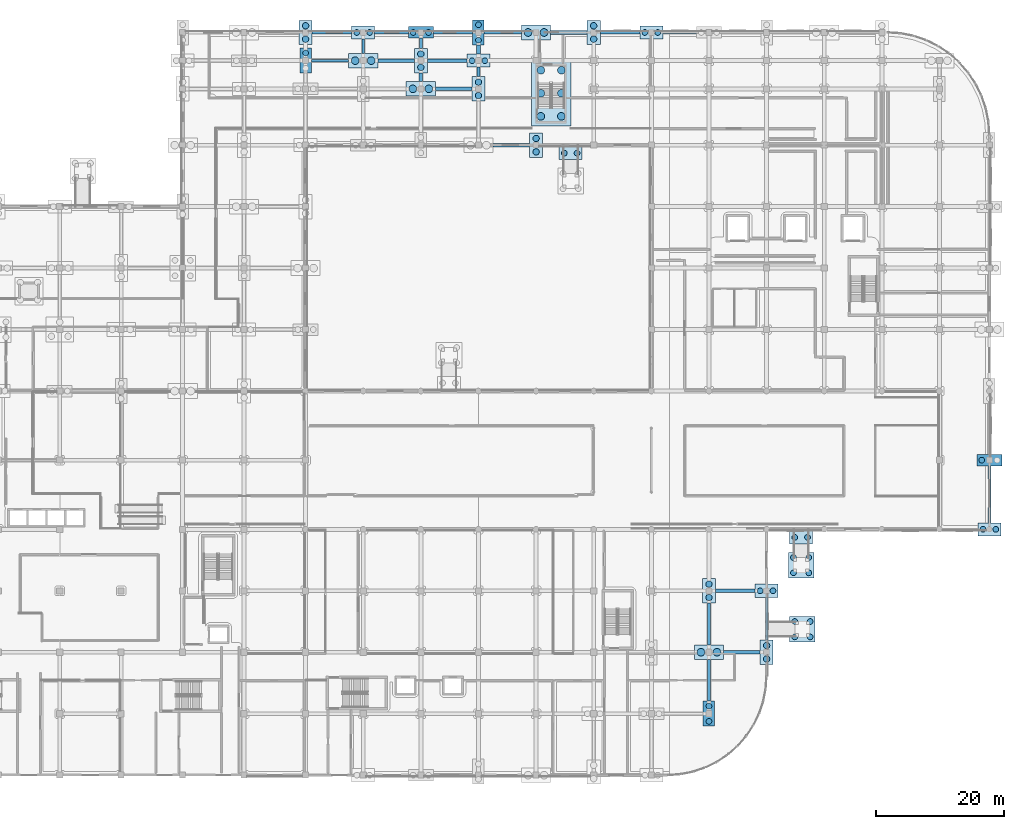
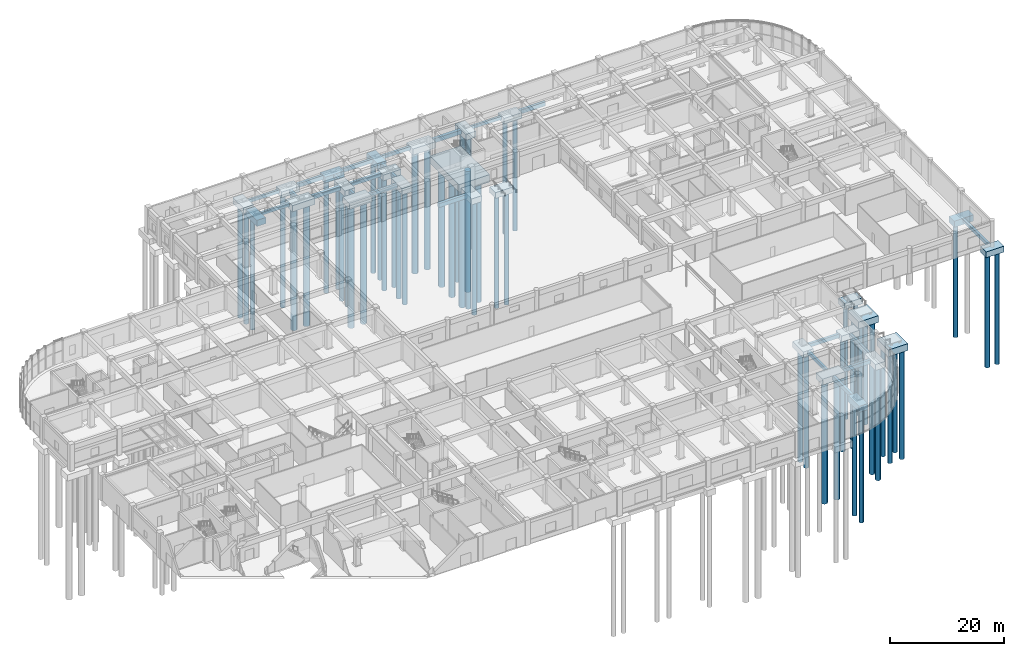
# One storey, part 4 of 74: 58 piles, 49 footings.
"""IFC4 building model written with IfcOpenShell, lengths in metres."""

from ifc_helpers import new_model, si_unit, direction, frame, origin, origin_2d, place, context, subcontext, project, spatial, rectangle, circle, extrude, material, material_profile, profile_set, type_object, element, save


model = new_model("IFC4")

# Units and contexts
model_context = context("Model", 3, precision=1e-05, world=origin(), true_north=direction((0.0, 1.0)))
body_context = subcontext(model_context, "Body", "Model", "MODEL_VIEW")
ifc_project = project(units=[si_unit("LENGTHUNIT", "METRE"), si_unit("AREAUNIT", "SQUARE_METRE"), si_unit("VOLUMEUNIT", "CUBIC_METRE"), si_unit("PLANEANGLEUNIT", "RADIAN"), si_unit("MASSUNIT", "GRAM", prefix="KILO")], contexts=[model_context])

# Site, building, storey
site_placement = place(None, origin())
site = spatial("IfcSite", under=ifc_project, at=site_placement, CompositionType="ELEMENT")
building_placement = place(site_placement, origin())
building = spatial("IfcBuilding", under=site, at=building_placement, Name="Cendralis Terraced Arcade", CompositionType="ELEMENT")
storey_placement = place(building_placement, origin())
storey = spatial("IfcBuildingStorey", under=building, at=storey_placement, Name="L00", CompositionType="ELEMENT", Elevation=0.0)

# Footings
ifc_material = material(Name="Concrete f'c 35 MPa", Category="concrete")
ifc_material_profile_1 = material_profile(ifc_material, rectangle(XDim=0.39990234375, YDim=0.699951171875, at=origin_2d()), Name="FB-400x700", Category="LoadBearing")
ifc_profile_set_1 = profile_set([ifc_material_profile_1], Name="Concrete f'c 35 MPa")
footing_type_1 = type_object("IfcFootingType", Name="FB-400x700", PredefinedType="FOOTING_BEAM", material=ifc_profile_set_1)
footing_1_placement = place(storey_placement, frame((68.10009765625, 111.60009765625, -0.64990234375), z_axis=(1.0, 0.0, 0.0), x_axis=(0.0, 1.0, 0.0)))
element("IfcFooting", 1, at=footing_1_placement, inside=storey, type_object=footing_type_1, Name="Reinforced Concrete Foundation Tie Beam FB-X-0134", PredefinedType="FOOTING_BEAM", context=body_context, shape_type="SweptSolid", body=[
    extrude(rectangle(XDim=0.39990234375, YDim=0.699951171875, at=origin_2d()), origin(), (0.0, 0.0, 1.0), 5.81982421875),
])
for number, where, z_axis, x_axis, name in (
    (2, (68.22509765625, 116.0, -0.64990234375), (1.0, 0.0, 0.0), (0.0, 1.0, 0.0), "Reinforced Concrete Foundation Tie Beam FB-X-0144"),
    (3, (113.22509765625, 116.0, -0.64990234375), (1.0, 0.0, 0.0), (0.0, 1.0, 0.0), "Reinforced Concrete Foundation Tie Beam FB-X-0149"),
):
    element("IfcFooting", number, at=place(storey_placement, frame(where, z_axis=z_axis, x_axis=x_axis)), inside=storey, type_object=footing_type_1, Name=name, PredefinedType="FOOTING_BEAM", context=body_context, shape_type="SweptSolid", body=[
        extrude(rectangle(XDim=0.39990234375, YDim=0.699951171875, at=origin_2d()), origin(), (0.0, 0.0, 1.0), 6.1748046875),
    ])
footing_2_placement = place(storey_placement, frame((139.199951171875, 21.10009765625, -0.64990234375), z_axis=(0.0, 1.0, 0.0), x_axis=(-1.0, 0.0, 0.0)))
element("IfcFooting", 4, at=footing_2_placement, inside=storey, type_object=footing_type_1, Name="Reinforced Concrete Foundation Tie Beam FB-Y-0254", PredefinedType="FOOTING_BEAM", context=body_context, shape_type="SweptSolid", body=[
    extrude(rectangle(XDim=0.39990234375, YDim=0.699951171875, at=origin_2d()), origin(), (0.0, 0.0, 1.0), 6.6748046875),
])
ifc_material_profile_2 = material_profile(ifc_material, rectangle(XDim=0.449951171875, YDim=0.75, at=origin_2d()), Name="FB-450x750", Category="LoadBearing")
ifc_profile_set_2 = profile_set([ifc_material_profile_2], Name="Concrete f'c 35 MPa")
footing_type_2 = type_object("IfcFootingType", Name="FB-450x750", PredefinedType="FOOTING_BEAM", material=ifc_profile_set_2)
footing_3_placement = place(storey_placement, frame((95.10009765625, 116.0, -0.675048828125), z_axis=(1.0, 0.0, 0.0), x_axis=(0.0, 1.0, 0.0)))
element("IfcFooting", 5, at=footing_3_placement, inside=storey, type_object=footing_type_2, Name="Reinforced Concrete Foundation Tie Beam FB-X-0147", PredefinedType="FOOTING_BEAM", context=body_context, shape_type="SweptSolid", body=[
    extrude(rectangle(XDim=0.449951171875, YDim=0.75, at=origin_2d()), origin(), (0.0, 0.0, 1.0), 5.81982421875),
])
footing_4_placement = place(storey_placement, frame((76.199951171875, 112.75, -0.675048828125), z_axis=(0.0, 1.0, 0.0), x_axis=(-1.0, 0.0, 0.0)))
element("IfcFooting", 6, at=footing_4_placement, inside=storey, type_object=footing_type_2, Name="Reinforced Concrete Foundation Tie Beam FB-Y-0217", PredefinedType="FOOTING_BEAM", context=body_context, shape_type="SweptSolid", body=[
    extrude(rectangle(XDim=0.449951171875, YDim=0.75, at=origin_2d()), origin(), (0.0, 0.0, 1.0), 2.22509765625),
])
footing_5_placement = place(storey_placement, frame((85.199951171875, 113.5, -0.675048828125), z_axis=(0.0, 1.0, 0.0), x_axis=(-1.0, 0.0, 0.0)))
element("IfcFooting", 7, at=footing_5_placement, inside=storey, type_object=footing_type_2, Name="Reinforced Concrete Foundation Tie Beam FB-Y-0222", PredefinedType="FOOTING_BEAM", context=body_context, shape_type="SweptSolid", body=[
    extrude(rectangle(XDim=0.449951171875, YDim=0.75, at=origin_2d()), origin(), (0.0, 0.0, 1.0), 1.60009765625),
])
footing_6_placement = place(storey_placement, frame((94.199951171875, 109.10009765625, -0.675048828125), z_axis=(0.0, 1.0, 0.0), x_axis=(-1.0, 0.0, 0.0)))
element("IfcFooting", 8, at=footing_6_placement, inside=storey, type_object=footing_type_2, Name="Reinforced Concrete Foundation Tie Beam FB-Y-0227", PredefinedType="FOOTING_BEAM", context=body_context, shape_type="SweptSolid", body=[
    extrude(rectangle(XDim=0.449951171875, YDim=0.75, at=origin_2d()), origin(), (0.0, 0.0, 1.0), 1.474853515625),
])
footing_7_placement = place(storey_placement, frame((130.199951171875, 20.35009765625, -0.675048828125), z_axis=(0.0, 1.0, 0.0), x_axis=(-1.0, 0.0, 0.0)))
element("IfcFooting", 9, at=footing_7_placement, inside=storey, type_object=footing_type_2, Name="Reinforced Concrete Foundation Tie Beam FB-Y-0247", PredefinedType="FOOTING_BEAM", context=body_context, shape_type="SweptSolid", body=[
    extrude(rectangle(XDim=0.449951171875, YDim=0.75, at=origin_2d()), origin(), (0.0, 0.0, 1.0), 6.5498046875),
])
footing_8_placement = place(storey_placement, frame((174.0, 39.425048828125, -0.675048828125), z_axis=(0.0, 1.0, 0.0), x_axis=(-1.0, 0.0, 0.0)))
element("IfcFooting", 10, at=footing_8_placement, inside=storey, type_object=footing_type_2, Name="Reinforced Concrete Foundation Tie Beam FB-Y-0277", PredefinedType="FOOTING_BEAM", context=body_context, shape_type="SweptSolid", body=[
    extrude(rectangle(XDim=0.449951171875, YDim=0.75, at=origin_2d()), origin(), (0.0, 0.0, 1.0), 8.875),
])
ifc_material_profile_3 = material_profile(ifc_material, rectangle(XDim=0.5, YDim=0.800048828125, at=origin_2d()), Name="FB-500x800", Category="LoadBearing")
ifc_profile_set_3 = profile_set([ifc_material_profile_3], Name="Concrete f'c 35 MPa")
footing_type_3 = type_object("IfcFootingType", Name="FB-500x800", PredefinedType="FOOTING_BEAM", material=ifc_profile_set_3)
footing_9_placement = place(storey_placement, frame((132.47998046875, 19.199951171875, -0.699951171875), z_axis=(1.0, 0.0, 0.0), x_axis=(0.0, 1.0, 0.0)))
element("IfcFooting", 11, at=footing_9_placement, inside=storey, type_object=footing_type_3, Name="Reinforced Concrete Foundation Tie Beam FB-X-0031", PredefinedType="FOOTING_BEAM", context=body_context, shape_type="SweptSolid", body=[
    extrude(rectangle(XDim=0.5, YDim=0.800048828125, at=origin_2d()), origin(), (0.0, 0.0, 1.0), 5.695068359375),
])
footing_10_placement = place(storey_placement, frame((131.22509765625, 28.800048828125, -0.699951171875), z_axis=(1.0, 0.0, 0.0), x_axis=(0.0, 1.0, 0.0)))
element("IfcFooting", 12, at=footing_10_placement, inside=storey, type_object=footing_type_3, Name="Reinforced Concrete Foundation Tie Beam FB-X-0041", PredefinedType="FOOTING_BEAM", context=body_context, shape_type="SweptSolid", body=[
    extrude(rectangle(XDim=0.5, YDim=0.800048828125, at=origin_2d()), origin(), (0.0, 0.0, 1.0), 6.1748046875),
])
footing_11_placement = place(storey_placement, frame((87.47998046875, 107.199951171875, -0.699951171875), z_axis=(1.0, 0.0, 0.0), x_axis=(0.0, 1.0, 0.0)))
element("IfcFooting", 13, at=footing_11_placement, inside=storey, type_object=footing_type_3, Name="Reinforced Concrete Foundation Tie Beam FB-X-0126", PredefinedType="FOOTING_BEAM", context=body_context, shape_type="SweptSolid", body=[
    extrude(rectangle(XDim=0.5, YDim=0.800048828125, at=origin_2d()), origin(), (0.0, 0.0, 1.0), 5.695068359375),
])
footing_12_placement = place(storey_placement, frame((86.22509765625, 111.60009765625, -0.699951171875), z_axis=(1.0, 0.0, 0.0), x_axis=(0.0, 1.0, 0.0)))
element("IfcFooting", 14, at=footing_12_placement, inside=storey, type_object=footing_type_3, Name="Reinforced Concrete Foundation Tie Beam FB-X-0136", PredefinedType="FOOTING_BEAM", context=body_context, shape_type="SweptSolid", body=[
    extrude(rectangle(XDim=0.5, YDim=0.800048828125, at=origin_2d()), origin(), (0.0, 0.0, 1.0), 6.1748046875),
])
footing_13_placement = place(storey_placement, frame((87.14990234375, 116.0, -0.699951171875), z_axis=(1.0, 0.0, 0.0), x_axis=(0.0, 1.0, 0.0)))
element("IfcFooting", 15, at=footing_13_placement, inside=storey, type_object=footing_type_3, Name="Reinforced Concrete Foundation Tie Beam FB-X-0146", PredefinedType="FOOTING_BEAM", context=body_context, shape_type="SweptSolid", body=[
    extrude(rectangle(XDim=0.5, YDim=0.800048828125, at=origin_2d()), origin(), (0.0, 0.0, 1.0), 6.150146484375),
])
footing_14_placement = place(storey_placement, frame((85.199951171875, 108.35009765625, -0.699951171875), z_axis=(0.0, 1.0, 0.0), x_axis=(-1.0, 0.0, 0.0)))
element("IfcFooting", 16, at=footing_14_placement, inside=storey, type_object=footing_type_3, Name="Reinforced Concrete Foundation Tie Beam FB-Y-0221", PredefinedType="FOOTING_BEAM", context=body_context, shape_type="SweptSolid", body=[
    extrude(rectangle(XDim=0.5, YDim=0.800048828125, at=origin_2d()), origin(), (0.0, 0.0, 1.0), 1.349853515625),
])
footing_15_placement = place(storey_placement, frame((130.199951171875, 11.550048828125, -0.699951171875), z_axis=(0.0, 1.0, 0.0), x_axis=(-1.0, 0.0, 0.0)))
element("IfcFooting", 17, at=footing_15_placement, inside=storey, type_object=footing_type_3, Name="Reinforced Concrete Foundation Tie Beam FB-Y-0246", PredefinedType="FOOTING_BEAM", context=body_context, shape_type="SweptSolid", body=[
    extrude(rectangle(XDim=0.5, YDim=0.800048828125, at=origin_2d()), origin(), (0.0, 0.0, 1.0), 6.5),
])
ifc_material_profile_4 = material_profile(ifc_material, rectangle(XDim=0.550048828125, YDim=0.85009765625, at=origin_2d()), Name="FB-550x850", Category="LoadBearing")
ifc_profile_set_4 = profile_set([ifc_material_profile_4], Name="Concrete f'c 35 MPa")
footing_type_4 = type_object("IfcFootingType", Name="FB-550x850", PredefinedType="FOOTING_BEAM", material=ifc_profile_set_4)
for number, where, z_axis, x_axis, name in (
    (18, (96.47998046875, 98.39990234375, -0.72509765625), (1.0, 0.0, 0.0), (0.0, 1.0, 0.0), "Reinforced Concrete Foundation Tie Beam FB-X-0115"),
    (19, (78.47998046875, 111.60009765625, -0.72509765625), (1.0, 0.0, 0.0), (0.0, 1.0, 0.0), "Reinforced Concrete Foundation Tie Beam FB-X-0135"),
):
    element("IfcFooting", number, at=place(storey_placement, frame(where, z_axis=z_axis, x_axis=x_axis)), inside=storey, type_object=footing_type_4, Name=name, PredefinedType="FOOTING_BEAM", context=body_context, shape_type="SweptSolid", body=[
        extrude(rectangle(XDim=0.550048828125, YDim=0.85009765625, at=origin_2d()), origin(), (0.0, 0.0, 1.0), 5.695068359375),
    ])
for number, where, z_axis, x_axis, name in (
    (20, (78.0, 116.0, -0.72509765625), (1.0, 0.0, 0.0), (0.0, 1.0, 0.0), "Reinforced Concrete Foundation Tie Beam FB-X-0145"),
    (21, (123.0, 116.0, -0.72509765625), (1.0, 0.0, 0.0), (0.0, 1.0, 0.0), "Reinforced Concrete Foundation Tie Beam FB-X-0150"),
):
    element("IfcFooting", number, at=place(storey_placement, frame(where, z_axis=z_axis, x_axis=x_axis)), inside=storey, type_object=footing_type_4, Name=name, PredefinedType="FOOTING_BEAM", context=body_context, shape_type="SweptSolid", body=[
        extrude(rectangle(XDim=0.550048828125, YDim=0.85009765625, at=origin_2d()), origin(), (0.0, 0.0, 1.0), 5.25),
    ])
ifc_material_profile_5 = material_profile(ifc_material, rectangle(XDim=0.60009765625, YDim=0.89990234375, at=origin_2d()), Name="FB-600x900", Category="LoadBearing")
ifc_profile_set_5 = profile_set([ifc_material_profile_5], Name="Concrete f'c 35 MPa")
footing_type_5 = type_object("IfcFootingType", Name="FB-600x900", PredefinedType="FOOTING_BEAM", material=ifc_profile_set_5)
footing_16_placement = place(storey_placement, frame((105.47998046875, 116.0, -0.75), z_axis=(1.0, 0.0, 0.0), x_axis=(0.0, 1.0, 0.0)))
element("IfcFooting", 22, at=footing_16_placement, inside=storey, type_object=footing_type_5, Name="Reinforced Concrete Foundation Tie Beam FB-X-0148", PredefinedType="FOOTING_BEAM", context=body_context, shape_type="SweptSolid", body=[
    extrude(rectangle(XDim=0.60009765625, YDim=0.89990234375, at=origin_2d()), origin(), (0.0, 0.0, 1.0), 5.695068359375),
])
footing_17_placement = place(storey_placement, frame((94.199951171875, 112.625, -0.75), z_axis=(0.0, 1.0, 0.0), x_axis=(-1.0, 0.0, 0.0)))
element("IfcFooting", 23, at=footing_17_placement, inside=storey, type_object=footing_type_5, Name="Reinforced Concrete Foundation Tie Beam FB-Y-0228", PredefinedType="FOOTING_BEAM", context=body_context, shape_type="SweptSolid", body=[
    extrude(rectangle(XDim=0.60009765625, YDim=0.89990234375, at=origin_2d()), origin(), (0.0, 0.0, 1.0), 1.425048828125),
])
footing_type_6 = type_object("IfcFootingType", Name="PC-2P-1800x3900x1300", PredefinedType="PILE_CAP", material=ifc_material)
for number, where, z_axis, x_axis, name in (
    (24, (94.199951171875, 116.0, -1.60009765625), (0.0, 0.0, 1.0), (1.0, 0.0, 0.0), "Reinforced Concrete Bored Pile Cap CAP-G11-P"),
    (25, (130.199951171875, 9.60009765625, -1.60009765625), (0.0, 0.0, 1.0), (1.0, 0.0, 0.0), "Reinforced Concrete Bored Pile Cap CAP-G15-B"),
    (26, (67.199951171875, 111.60009765625, -1.60009765625), (0.0, 0.0, 1.0), (1.0, 0.0, 0.0), "Reinforced Concrete Bored Pile Cap CAP-G8-N"),
):
    element("IfcFooting", number, at=place(storey_placement, frame(where, z_axis=z_axis, x_axis=x_axis)), inside=storey, type_object=footing_type_6, Name=name, PredefinedType="PILE_CAP", context=body_context, shape_type="SweptSolid", body=[
        extrude(rectangle(XDim=1.800048828125, YDim=3.89990234375, at=origin_2d()), origin(), (0.0, 0.0, 1.0), 1.300048828125),
    ])
footing_type_7 = type_object("IfcFootingType", Name="PC-2P-2050x3800x1280", PredefinedType="PILE_CAP", material=ifc_material)
for number, where, z_axis, x_axis, name in (
    (27, (85.199951171875, 111.60009765625, -1.580078125), (0.0, 0.0, 1.0), (1.0, 0.0, 0.0), "Reinforced Concrete Bored Pile Cap CAP-G10-N"),
    (28, (94.199951171875, 107.199951171875, -1.580078125), (0.0, 0.0, 1.0), (1.0, 0.0, 0.0), "Reinforced Concrete Bored Pile Cap CAP-G11-M"),
    (29, (103.199951171875, 98.39990234375, -1.580078125), (0.0, 0.0, 1.0), (1.0, 0.0, 0.0), "Reinforced Concrete Bored Pile Cap CAP-G12-L"),
    (30, (112.199951171875, 116.0, -1.580078125), (0.0, 0.0, 1.0), (1.0, 0.0, 0.0), "Reinforced Concrete Bored Pile Cap CAP-G13-P"),
    (31, (130.199951171875, 28.800048828125, -1.580078125), (0.0, 0.0, 1.0), (1.0, 0.0, 0.0), "Reinforced Concrete Bored Pile Cap CAP-G15-D"),
    (32, (139.199951171875, 19.199951171875, -1.580078125), (0.0, 0.0, 1.0), (1.0, 0.0, 0.0), "Reinforced Concrete Bored Pile Cap CAP-G16-C"),
    (33, (67.199951171875, 116.0, -1.580078125), (0.0, 0.0, 1.0), (1.0, 0.0, 0.0), "Reinforced Concrete Bored Pile Cap CAP-G8-P"),
):
    element("IfcFooting", number, at=place(storey_placement, frame(where, z_axis=z_axis, x_axis=x_axis)), inside=storey, type_object=footing_type_7, Name=name, PredefinedType="PILE_CAP", context=body_context, shape_type="SweptSolid", body=[
        extrude(rectangle(XDim=2.050048828125, YDim=3.800048828125, at=origin_2d()), origin(), (0.0, 0.0, 1.0), 1.280029296875),
    ])
footing_type_8 = type_object("IfcFootingType", Name="PC-2P-3600x2050x1260", PredefinedType="PILE_CAP", material=ifc_material)
for number, where, z_axis, x_axis, name in (
    (34, (94.199951171875, 111.60009765625, -1.56005859375), (0.0, 0.0, 1.0), (1.0, 0.0, 0.0), "Reinforced Concrete Bored Pile Cap CAP-G11-N"),
    (35, (121.199951171875, 116.0, -1.56005859375), (0.0, 0.0, 1.0), (1.0, 0.0, 0.0), "Reinforced Concrete Bored Pile Cap CAP-G14-P"),
    (36, (139.199951171875, 28.800048828125, -1.56005859375), (0.0, 0.0, 1.0), (1.0, 0.0, 0.0), "Reinforced Concrete Bored Pile Cap CAP-G16-D"),
    (37, (174.0, 38.39990234375, -1.56005859375), (0.0, 0.0, 1.0), (1.0, 0.0, 0.0), "Reinforced Concrete Bored Pile Cap CAP-G20-E"),
    (38, (76.199951171875, 116.0, -1.56005859375), (0.0, 0.0, 1.0), (1.0, 0.0, 0.0), "Reinforced Concrete Bored Pile Cap CAP-G9-P"),
    (39, (144.60009765625, 37.14990234375, -1.580078125), (0.0, 0.0, 1.0), (1.0, 0.0, 0.0), "Reinforced Concrete Bored Pile Cap CAP-RMF-RMP-03"),
    (40, (108.60009765625, 97.14990234375, -1.580078125), (0.0, 0.0, 1.0), (1.0, 0.0, 0.0), "Reinforced Concrete Bored Pile Cap CAP-RMF-RMP-05"),
):
    element("IfcFooting", number, at=place(storey_placement, frame(where, z_axis=z_axis, x_axis=x_axis)), inside=storey, type_object=footing_type_8, Name=name, PredefinedType="PILE_CAP", context=body_context, shape_type="SweptSolid", body=[
        extrude(rectangle(XDim=3.60009765625, YDim=2.050048828125, at=origin_2d()), origin(), (0.0, 0.0, 1.0), 1.260009765625),
    ])
footing_type_9 = type_object("IfcFootingType", Name="PC-2P-3900x1800x1300", PredefinedType="PILE_CAP", material=ifc_material)
for number, where, z_axis, x_axis, name in (
    (41, (85.199951171875, 116.0, -1.60009765625), (0.0, 0.0, 1.0), (1.0, 0.0, 0.0), "Reinforced Concrete Bored Pile Cap CAP-G10-P"),
    (42, (174.0, 49.199951171875, -1.60009765625), (0.0, 0.0, 1.0), (1.0, 0.0, 0.0), "Reinforced Concrete Bored Pile Cap CAP-G20-F"),
):
    element("IfcFooting", number, at=place(storey_placement, frame(where, z_axis=z_axis, x_axis=x_axis)), inside=storey, type_object=footing_type_9, Name=name, PredefinedType="PILE_CAP", context=body_context, shape_type="SweptSolid", body=[
        extrude(rectangle(XDim=3.89990234375, YDim=1.800048828125, at=origin_2d()), origin(), (0.0, 0.0, 1.0), 1.300048828125),
    ])
footing_type_10 = type_object("IfcFootingType", Name="PC-2P-4560x2300x1320", PredefinedType="PILE_CAP", material=ifc_material)
for number, where, z_axis, x_axis, name in (
    (43, (85.199951171875, 107.199951171875, -1.6201171875), (0.0, 0.0, 1.0), (1.0, 0.0, 0.0), "Reinforced Concrete Bored Pile Cap CAP-G10-M"),
    (44, (103.199951171875, 116.0, -1.6201171875), (0.0, 0.0, 1.0), (1.0, 0.0, 0.0), "Reinforced Concrete Bored Pile Cap CAP-G12-P"),
    (45, (130.199951171875, 19.199951171875, -1.6201171875), (0.0, 0.0, 1.0), (1.0, 0.0, 0.0), "Reinforced Concrete Bored Pile Cap CAP-G15-C"),
    (46, (76.199951171875, 111.60009765625, -1.6201171875), (0.0, 0.0, 1.0), (1.0, 0.0, 0.0), "Reinforced Concrete Bored Pile Cap CAP-G9-N"),
):
    element("IfcFooting", number, at=place(storey_placement, frame(where, z_axis=z_axis, x_axis=x_axis)), inside=storey, type_object=footing_type_10, Name=name, PredefinedType="PILE_CAP", context=body_context, shape_type="SweptSolid", body=[
        extrude(rectangle(XDim=4.56005859375, YDim=2.300048828125, at=origin_2d()), origin(), (0.0, 0.0, 1.0), 1.320068359375),
    ])
footing_type_11 = type_object("IfcFootingType", Name="PC-4P-4000x4000x1450", PredefinedType="PILE_CAP", material=ifc_material)
for number, where, z_axis, x_axis, name in (
    (47, (144.800048828125, 22.800048828125, -2.39990234375), (0.0, 0.0, 1.0), (1.0, 0.0, 0.0), "Reinforced Concrete Bored Pile Cap CAP-RMP-02"),
    (48, (144.60009765625, 32.800048828125, -2.39990234375), (0.0, 0.0, 1.0), (1.0, 0.0, 0.0), "Reinforced Concrete Bored Pile Cap CAP-RMP-03"),
):
    element("IfcFooting", number, at=place(storey_placement, frame(where, z_axis=z_axis, x_axis=x_axis)), inside=storey, type_object=footing_type_11, Name=name, PredefinedType="PILE_CAP", context=body_context, shape_type="SweptSolid", body=[
        extrude(rectangle(XDim=4.0, YDim=4.0, at=origin_2d()), origin(), (0.0, 0.0, 1.0), 1.449951171875),
    ])
footing_type_12 = type_object("IfcFootingType", Name="PC-CORE-6200x10200x1600", PredefinedType="PILE_CAP", material=ifc_material)
footing_18_placement = place(storey_placement, frame((105.550048828125, 106.5, -1.900146484375), z_axis=(0.0, 0.0, 1.0), x_axis=(1.0, 0.0, 0.0)))
element("IfcFooting", 49, at=footing_18_placement, inside=storey, type_object=footing_type_12, Name="Reinforced Concrete Bored Pile Cap CAP-ST-10", PredefinedType="PILE_CAP", context=body_context, shape_type="SweptSolid", body=[
    extrude(rectangle(XDim=6.199951171875, YDim=10.199951171875, at=origin_2d()), origin(), (0.0, 0.0, 1.0), 1.60009765625),
])

# Piles
ifc_material_profile_6 = material_profile(ifc_material, circle(Radius=0.5, at=origin_2d()), Name="PILE-D1000", Category="LoadBearing")
ifc_profile_set_6 = profile_set([ifc_material_profile_6], Name="Concrete f'c 35 MPa")
pile_type_1 = type_object("IfcPileType", Name="PILE-1000", PredefinedType="BORED", material=ifc_profile_set_6)
for number, where, z_axis, x_axis, name in (
    (50, (85.199951171875, 110.550048828125, -1.47998046875), (0.0, 0.0, -1.0), (1.0, 0.0, 0.0), "Bored Concrete Pile PILE-C-CAP-G10-N-1-0_-105"),
    (51, (85.199951171875, 112.64990234375, -1.47998046875), (0.0, 0.0, -1.0), (1.0, 0.0, 0.0), "Bored Concrete Pile PILE-B-CAP-G10-N-1"),
    (52, (94.199951171875, 106.14990234375, -1.47998046875), (0.0, 0.0, -1.0), (1.0, 0.0, 0.0), "Bored Concrete Pile PILE-C-CAP-G11-M-1-0_-105"),
    (53, (94.199951171875, 108.25, -1.47998046875), (0.0, 0.0, -1.0), (1.0, 0.0, 0.0), "Bored Concrete Pile PILE-B-CAP-G11-M-1"),
    (54, (103.199951171875, 97.35009765625, -1.47998046875), (0.0, 0.0, -1.0), (1.0, 0.0, 0.0), "Bored Concrete Pile PILE-C-CAP-G12-L-1-0_-105"),
    (55, (103.199951171875, 99.449951171875, -1.47998046875), (0.0, 0.0, -1.0), (1.0, 0.0, 0.0), "Bored Concrete Pile PILE-B-CAP-G12-L-1"),
    (56, (112.199951171875, 114.949951171875, -1.47998046875), (0.0, 0.0, -1.0), (1.0, 0.0, 0.0), "Bored Concrete Pile PILE-C-CAP-G13-P-1-0_-105"),
    (57, (112.199951171875, 117.050048828125, -1.47998046875), (0.0, 0.0, -1.0), (1.0, 0.0, 0.0), "Bored Concrete Pile PILE-B-CAP-G13-P-1"),
    (58, (130.199951171875, 27.75, -1.47998046875), (0.0, 0.0, -1.0), (1.0, 0.0, 0.0), "Bored Concrete Pile PILE-C-CAP-G15-D-1-0_-105"),
    (59, (130.199951171875, 29.85009765625, -1.47998046875), (0.0, 0.0, -1.0), (1.0, 0.0, 0.0), "Bored Concrete Pile PILE-B-CAP-G15-D-1"),
    (60, (139.199951171875, 18.14990234375, -1.47998046875), (0.0, 0.0, -1.0), (1.0, 0.0, 0.0), "Bored Concrete Pile PILE-C-CAP-G16-C-1-0_-105"),
    (61, (139.199951171875, 20.25, -1.47998046875), (0.0, 0.0, -1.0), (1.0, 0.0, 0.0), "Bored Concrete Pile PILE-B-CAP-G16-C-1"),
    (62, (67.199951171875, 114.949951171875, -1.47998046875), (0.0, 0.0, -1.0), (1.0, 0.0, 0.0), "Bored Concrete Pile PILE-C-CAP-G8-P-1-0_-105"),
    (63, (67.199951171875, 117.050048828125, -1.47998046875), (0.0, 0.0, -1.0), (1.0, 0.0, 0.0), "Bored Concrete Pile PILE-B-CAP-G8-P-1"),
):
    element("IfcPile", number, at=place(storey_placement, frame(where, z_axis=z_axis, x_axis=x_axis)), inside=storey, type_object=pile_type_1, Name=name, PredefinedType="BORED", context=body_context, shape_type="SweptSolid", body=[
        extrude(circle(Radius=0.5, at=origin_2d()), origin(), (0.0, 0.0, 1.0), 24.219970703125),
    ])
ifc_material_profile_7 = material_profile(ifc_material, circle(Radius=0.60009765625, at=origin_2d()), Name="PILE-D1200", Category="LoadBearing")
ifc_profile_set_7 = profile_set([ifc_material_profile_7], Name="Concrete f'c 35 MPa")
pile_type_2 = type_object("IfcPileType", Name="PILE-1200", PredefinedType="BORED", material=ifc_profile_set_7)
for number, where, z_axis, x_axis, name in (
    (64, (103.949951171875, 102.89990234375, -1.800048828125), (0.0, 0.0, -1.0), (1.0, 0.0, 0.0), "Bored Concrete Pile PILE-C-CAP-ST-10-6--160_-360"),
    (65, (107.14990234375, 102.89990234375, -1.800048828125), (0.0, 0.0, -1.0), (1.0, 0.0, 0.0), "Bored Concrete Pile PILE-C-CAP-ST-10-6-160_-360"),
    (66, (103.949951171875, 106.5, -1.800048828125), (0.0, 0.0, -1.0), (1.0, 0.0, 0.0), "Bored Concrete Pile PILE-C-CAP-ST-10-6--160_0"),
    (67, (107.14990234375, 106.5, -1.800048828125), (0.0, 0.0, -1.0), (1.0, 0.0, 0.0), "Bored Concrete Pile PILE-C-CAP-ST-10-6-160_0"),
    (68, (103.949951171875, 110.10009765625, -1.800048828125), (0.0, 0.0, -1.0), (1.0, 0.0, 0.0), "Bored Concrete Pile PILE-C-CAP-ST-10-6--160_360"),
    (69, (107.14990234375, 110.10009765625, -1.800048828125), (0.0, 0.0, -1.0), (1.0, 0.0, 0.0), "Bored Concrete Pile PILE-C-CAP-ST-10-6-160_360"),
):
    element("IfcPile", number, at=place(storey_placement, frame(where, z_axis=z_axis, x_axis=x_axis)), inside=storey, type_object=pile_type_2, Name=name, PredefinedType="BORED", context=body_context, shape_type="SweptSolid", body=[
        extrude(circle(Radius=0.60009765625, at=origin_2d()), origin(), (0.0, 0.0, 1.0), 25.89990234375),
    ])
for number, where, z_axis, x_axis, name in (
    (70, (83.949951171875, 107.199951171875, -1.52001953125), (0.0, 0.0, -1.0), (1.0, 0.0, 0.0), "Bored Concrete Pile PILE-C-CAP-G10-M-1--125_0"),
    (71, (86.449951171875, 107.199951171875, -1.52001953125), (0.0, 0.0, -1.0), (1.0, 0.0, 0.0), "Bored Concrete Pile PILE-B-CAP-G10-M-1"),
    (72, (101.949951171875, 116.0, -1.52001953125), (0.0, 0.0, -1.0), (1.0, 0.0, 0.0), "Bored Concrete Pile PILE-C-CAP-G12-P-1--125_0"),
    (73, (104.449951171875, 116.0, -1.52001953125), (0.0, 0.0, -1.0), (1.0, 0.0, 0.0), "Bored Concrete Pile PILE-B-CAP-G12-P-1"),
    (74, (128.949951171875, 19.199951171875, -1.52001953125), (0.0, 0.0, -1.0), (1.0, 0.0, 0.0), "Bored Concrete Pile PILE-C-CAP-G15-C-1--125_0"),
    (75, (131.449951171875, 19.199951171875, -1.52001953125), (0.0, 0.0, -1.0), (1.0, 0.0, 0.0), "Bored Concrete Pile PILE-B-CAP-G15-C-1"),
    (76, (74.949951171875, 111.60009765625, -1.52001953125), (0.0, 0.0, -1.0), (1.0, 0.0, 0.0), "Bored Concrete Pile PILE-C-CAP-G9-N-1--125_0"),
    (77, (77.449951171875, 111.60009765625, -1.52001953125), (0.0, 0.0, -1.0), (1.0, 0.0, 0.0), "Bored Concrete Pile PILE-B-CAP-G9-N-1"),
):
    element("IfcPile", number, at=place(storey_placement, frame(where, z_axis=z_axis, x_axis=x_axis)), inside=storey, type_object=pile_type_2, Name=name, PredefinedType="BORED", context=body_context, shape_type="SweptSolid", body=[
        extrude(circle(Radius=0.60009765625, at=origin_2d()), origin(), (0.0, 0.0, 1.0), 26.179931640625),
    ])
ifc_material_profile_8 = material_profile(ifc_material, circle(Radius=0.449951171875, at=origin_2d()), Name="PILE-D900", Category="LoadBearing")
ifc_profile_set_8 = profile_set([ifc_material_profile_8], Name="Concrete f'c 35 MPa")
pile_type_3 = type_object("IfcPileType", Name="PILE-900", PredefinedType="BORED", material=ifc_profile_set_8)
for number, where, z_axis, x_axis, name in (
    (78, (84.0, 116.0, -1.5), (0.0, 0.0, -1.0), (1.0, 0.0, 0.0), "Bored Concrete Pile PILE-C-CAP-G10-P-2--120_0"),
    (79, (86.39990234375, 116.0, -1.5), (0.0, 0.0, -1.0), (1.0, 0.0, 0.0), "Bored Concrete Pile PILE-C-CAP-G10-P-2-120_0"),
):
    element("IfcPile", number, at=place(storey_placement, frame(where, z_axis=z_axis, x_axis=x_axis)), inside=storey, type_object=pile_type_3, Name=name, PredefinedType="BORED", context=body_context, shape_type="SweptSolid", body=[
        extrude(circle(Radius=0.449951171875, at=origin_2d()), origin(), (0.0, 0.0, 1.0), 24.199951171875),
    ])
for number, where, z_axis, x_axis, name in (
    (80, (93.199951171875, 111.60009765625, -1.4599609375), (0.0, 0.0, -1.0), (1.0, 0.0, 0.0), "Bored Concrete Pile PILE-C-CAP-G11-N-1--100_0"),
    (81, (95.199951171875, 111.60009765625, -1.4599609375), (0.0, 0.0, -1.0), (1.0, 0.0, 0.0), "Bored Concrete Pile PILE-B-CAP-G11-N-1"),
):
    element("IfcPile", number, at=place(storey_placement, frame(where, z_axis=z_axis, x_axis=x_axis)), inside=storey, type_object=pile_type_3, Name=name, PredefinedType="BORED", context=body_context, shape_type="SweptSolid", body=[
        extrude(circle(Radius=0.449951171875, at=origin_2d()), origin(), (0.0, 0.0, 1.0), 24.239990234375),
    ])
for number, where, z_axis, x_axis, name in (
    (82, (94.199951171875, 114.800048828125, -1.5), (0.0, 0.0, -1.0), (1.0, 0.0, 0.0), "Bored Concrete Pile PILE-C-CAP-G11-P-2-0_-120"),
    (83, (94.199951171875, 117.199951171875, -1.5), (0.0, 0.0, -1.0), (1.0, 0.0, 0.0), "Bored Concrete Pile PILE-C-CAP-G11-P-2-0_120"),
):
    element("IfcPile", number, at=place(storey_placement, frame(where, z_axis=z_axis, x_axis=x_axis)), inside=storey, type_object=pile_type_3, Name=name, PredefinedType="BORED", context=body_context, shape_type="SweptSolid", body=[
        extrude(circle(Radius=0.449951171875, at=origin_2d()), origin(), (0.0, 0.0, 1.0), 24.199951171875),
    ])
for number, where, z_axis, x_axis, name in (
    (84, (120.199951171875, 116.0, -1.4599609375), (0.0, 0.0, -1.0), (1.0, 0.0, 0.0), "Bored Concrete Pile PILE-C-CAP-G14-P-1--100_0"),
    (85, (122.199951171875, 116.0, -1.4599609375), (0.0, 0.0, -1.0), (1.0, 0.0, 0.0), "Bored Concrete Pile PILE-B-CAP-G14-P-1"),
):
    element("IfcPile", number, at=place(storey_placement, frame(where, z_axis=z_axis, x_axis=x_axis)), inside=storey, type_object=pile_type_3, Name=name, PredefinedType="BORED", context=body_context, shape_type="SweptSolid", body=[
        extrude(circle(Radius=0.449951171875, at=origin_2d()), origin(), (0.0, 0.0, 1.0), 24.239990234375),
    ])
for number, where, z_axis, x_axis, name in (
    (86, (130.199951171875, 8.39990234375, -1.5), (0.0, 0.0, -1.0), (1.0, 0.0, 0.0), "Bored Concrete Pile PILE-C-CAP-G15-B-2-0_-120"),
    (87, (130.199951171875, 10.800048828125, -1.5), (0.0, 0.0, -1.0), (1.0, 0.0, 0.0), "Bored Concrete Pile PILE-C-CAP-G15-B-2-0_120"),
):
    element("IfcPile", number, at=place(storey_placement, frame(where, z_axis=z_axis, x_axis=x_axis)), inside=storey, type_object=pile_type_3, Name=name, PredefinedType="BORED", context=body_context, shape_type="SweptSolid", body=[
        extrude(circle(Radius=0.449951171875, at=origin_2d()), origin(), (0.0, 0.0, 1.0), 24.199951171875),
    ])
for number, where, z_axis, x_axis, name in (
    (88, (138.199951171875, 28.800048828125, -1.4599609375), (0.0, 0.0, -1.0), (1.0, 0.0, 0.0), "Bored Concrete Pile PILE-C-CAP-G16-D-1--100_0"),
    (89, (140.199951171875, 28.800048828125, -1.4599609375), (0.0, 0.0, -1.0), (1.0, 0.0, 0.0), "Bored Concrete Pile PILE-B-CAP-G16-D-1"),
    (90, (173.0, 38.39990234375, -1.4599609375), (0.0, 0.0, -1.0), (1.0, 0.0, 0.0), "Bored Concrete Pile PILE-C-CAP-G20-E-1--100_0"),
    (91, (175.0, 38.39990234375, -1.4599609375), (0.0, 0.0, -1.0), (1.0, 0.0, 0.0), "Bored Concrete Pile PILE-B-CAP-G20-E-1"),
):
    element("IfcPile", number, at=place(storey_placement, frame(where, z_axis=z_axis, x_axis=x_axis)), inside=storey, type_object=pile_type_3, Name=name, PredefinedType="BORED", context=body_context, shape_type="SweptSolid", body=[
        extrude(circle(Radius=0.449951171875, at=origin_2d()), origin(), (0.0, 0.0, 1.0), 24.239990234375),
    ])
for number, where, z_axis, x_axis, name in (
    (92, (172.800048828125, 49.199951171875, -1.5), (0.0, 0.0, -1.0), (1.0, 0.0, 0.0), "Bored Concrete Pile PILE-C-CAP-G20-F-2--120_0"),
    (93, (67.199951171875, 112.800048828125, -1.5), (0.0, 0.0, -1.0), (1.0, 0.0, 0.0), "Bored Concrete Pile PILE-C-CAP-G8-N-2-0_120"),
):
    element("IfcPile", number, at=place(storey_placement, frame(where, z_axis=z_axis, x_axis=x_axis)), inside=storey, type_object=pile_type_3, Name=name, PredefinedType="BORED", context=body_context, shape_type="SweptSolid", body=[
        extrude(circle(Radius=0.449951171875, at=origin_2d()), origin(), (0.0, 0.0, 1.0), 24.199951171875),
    ])
for number, where, z_axis, x_axis, name in (
    (94, (75.199951171875, 116.0, -1.4599609375), (0.0, 0.0, -1.0), (1.0, 0.0, 0.0), "Bored Concrete Pile PILE-C-CAP-G9-P-1--100_0"),
    (95, (77.199951171875, 116.0, -1.4599609375), (0.0, 0.0, -1.0), (1.0, 0.0, 0.0), "Bored Concrete Pile PILE-B-CAP-G9-P-1"),
):
    element("IfcPile", number, at=place(storey_placement, frame(where, z_axis=z_axis, x_axis=x_axis)), inside=storey, type_object=pile_type_3, Name=name, PredefinedType="BORED", context=body_context, shape_type="SweptSolid", body=[
        extrude(circle(Radius=0.449951171875, at=origin_2d()), origin(), (0.0, 0.0, 1.0), 24.239990234375),
    ])
for number, where, z_axis, x_axis, name in (
    (96, (143.60009765625, 21.60009765625, -2.300048828125), (0.0, 0.0, -1.0), (1.0, 0.0, 0.0), "Bored Concrete Pile PILE-C-CAP-RMP-02-1--120_-120"),
    (97, (146.0, 21.60009765625, -2.300048828125), (0.0, 0.0, -1.0), (1.0, 0.0, 0.0), "Bored Concrete Pile PILE-B-CAP-RMP-02-1"),
    (98, (143.60009765625, 24.0, -2.300048828125), (0.0, 0.0, -1.0), (1.0, 0.0, 0.0), "Bored Concrete Pile PILE-B-CAP-RMP-02-2"),
    (99, (146.0, 24.0, -2.300048828125), (0.0, 0.0, -1.0), (1.0, 0.0, 0.0), "Bored Concrete Pile PILE-B-CAP-RMP-02-3"),
    (100, (143.39990234375, 31.60009765625, -2.300048828125), (0.0, 0.0, -1.0), (1.0, 0.0, 0.0), "Bored Concrete Pile PILE-C-CAP-RMP-03-1--120_-120"),
    (101, (145.800048828125, 31.60009765625, -2.300048828125), (0.0, 0.0, -1.0), (1.0, 0.0, 0.0), "Bored Concrete Pile PILE-B-CAP-RMP-03-1"),
    (102, (143.39990234375, 34.0, -2.300048828125), (0.0, 0.0, -1.0), (1.0, 0.0, 0.0), "Bored Concrete Pile PILE-B-CAP-RMP-03-2"),
    (103, (145.800048828125, 34.0, -2.300048828125), (0.0, 0.0, -1.0), (1.0, 0.0, 0.0), "Bored Concrete Pile PILE-B-CAP-RMP-03-3"),
):
    element("IfcPile", number, at=place(storey_placement, frame(where, z_axis=z_axis, x_axis=x_axis)), inside=storey, type_object=pile_type_3, Name=name, PredefinedType="BORED", context=body_context, shape_type="SweptSolid", body=[
        extrude(circle(Radius=0.449951171875, at=origin_2d()), origin(), (0.0, 0.0, 1.0), 23.39990234375),
    ])
for number, where, z_axis, x_axis, name in (
    (104, (143.60009765625, 37.14990234375, -1.47998046875), (0.0, 0.0, -1.0), (1.0, 0.0, 0.0), "Bored Concrete Pile PILE-C-CAP-RMF-RMP-03-1--100_0"),
    (105, (145.60009765625, 37.14990234375, -1.47998046875), (0.0, 0.0, -1.0), (1.0, 0.0, 0.0), "Bored Concrete Pile PILE-B-CAP-RMF-RMP-03-1"),
    (106, (107.60009765625, 97.14990234375, -1.47998046875), (0.0, 0.0, -1.0), (1.0, 0.0, 0.0), "Bored Concrete Pile PILE-C-CAP-RMF-RMP-05-1--100_0"),
    (107, (109.60009765625, 97.14990234375, -1.47998046875), (0.0, 0.0, -1.0), (1.0, 0.0, 0.0), "Bored Concrete Pile PILE-B-CAP-RMF-RMP-05-1"),
):
    element("IfcPile", number, at=place(storey_placement, frame(where, z_axis=z_axis, x_axis=x_axis)), inside=storey, type_object=pile_type_3, Name=name, PredefinedType="BORED", context=body_context, shape_type="SweptSolid", body=[
        extrude(circle(Radius=0.449951171875, at=origin_2d()), origin(), (0.0, 0.0, 1.0), 24.219970703125),
    ])

save(model, "model.ifc")
